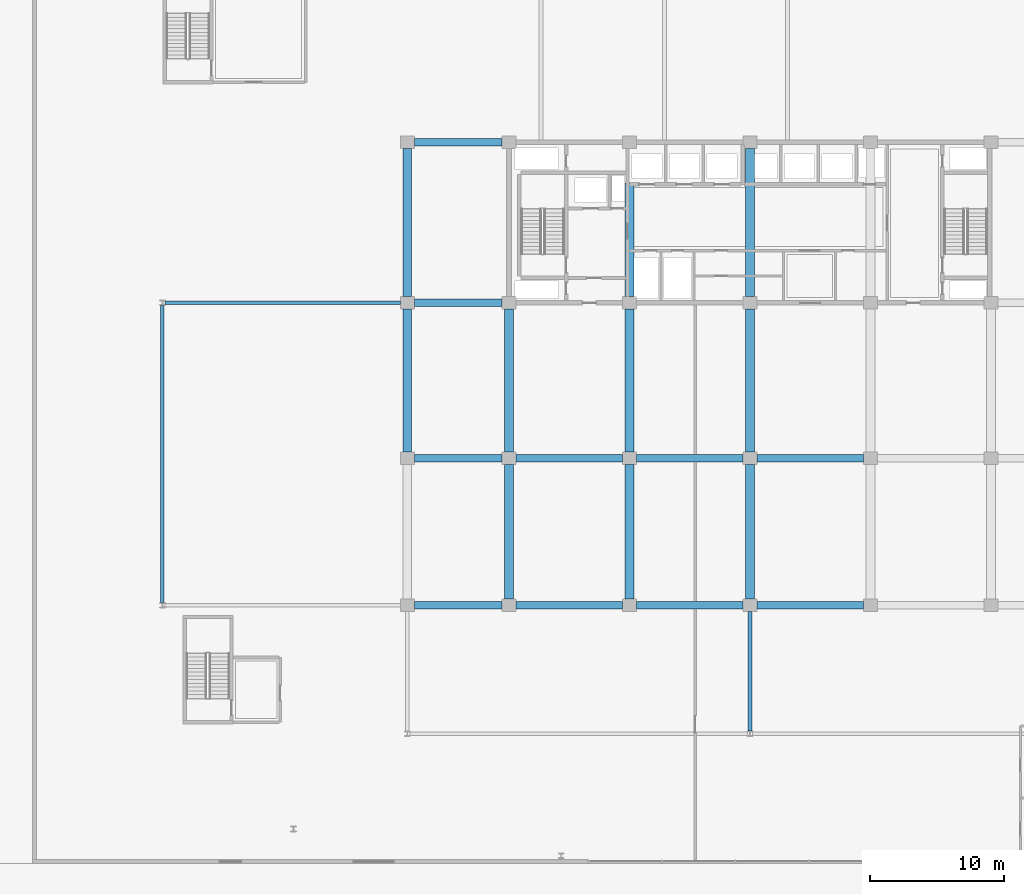
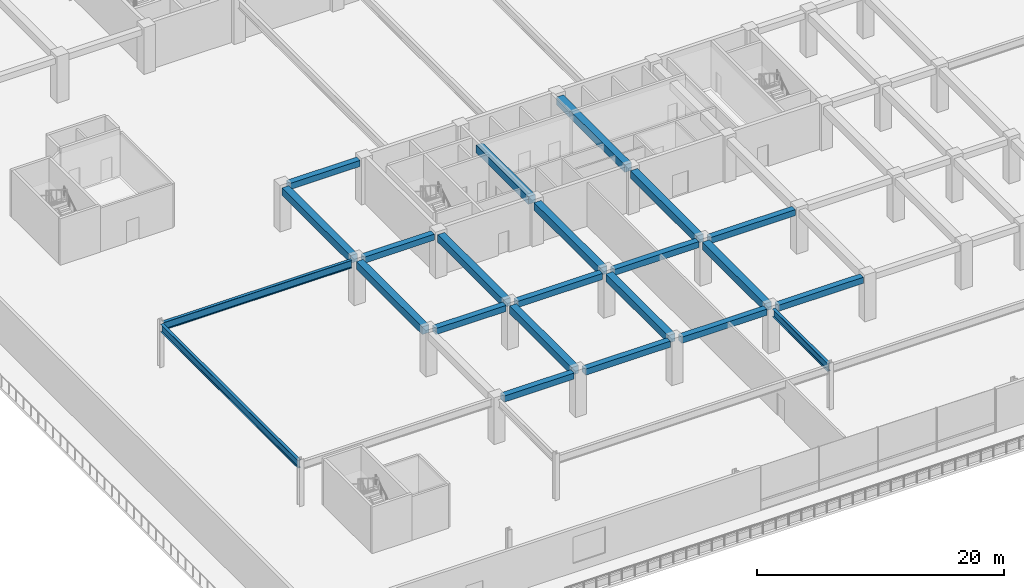
# One storey, part 11 of 45: 23 beams.
"""IFC4 building model written with IfcOpenShell, lengths in metres."""

from ifc_helpers import new_model, si_unit, direction, frame, origin, origin_2d, place, context, subcontext, project, spatial, rectangle, i_section, extrude, material, material_profile, profile_set, type_object, element, save


model = new_model("IFC4")

# Units and contexts
model_context = context("Model", 3, precision=1e-05, world=origin(), true_north=direction((0.0, 1.0)))
body_context = subcontext(model_context, "Body", "Model", "MODEL_VIEW")
ifc_project = project(units=[si_unit("LENGTHUNIT", "METRE"), si_unit("AREAUNIT", "SQUARE_METRE"), si_unit("VOLUMEUNIT", "CUBIC_METRE"), si_unit("PLANEANGLEUNIT", "RADIAN"), si_unit("MASSUNIT", "GRAM", prefix="KILO")], contexts=[model_context])

# Site, building, storey
site_placement = place(None, origin())
site = spatial("IfcSite", under=ifc_project, at=site_placement, CompositionType="ELEMENT")
building_placement = place(site_placement, origin())
building = spatial("IfcBuilding", under=site, at=building_placement, Name="Korimba Cascade Residences", CompositionType="ELEMENT")
storey_placement = place(building_placement, frame((0.0, 0.0, 5.39990234375)))
storey = spatial("IfcBuildingStorey", under=building, at=storey_placement, Name="L01", CompositionType="ELEMENT", Elevation=5.39990234375)

# Beams
ifc_material_1 = material(Name="Concrete C50/60", Category="concrete")
ifc_material_profile_1 = material_profile(ifc_material_1, rectangle(XDim=0.550048828125, YDim=0.60009765625, at=origin_2d()), Name="Concrete C50/60")
ifc_profile_set_1 = profile_set([ifc_material_profile_1], Name="Concrete C50/60")
beam_type_1 = type_object("IfcBeamType", Name="BM-RC-B600", PredefinedType="BEAM", material=ifc_profile_set_1)
beam_1_placement = place(storey_placement, frame((75.02490234375, -4.199951171875, 4.0), z_axis=(1.0, 0.0, 0.0), x_axis=(0.0, 1.0, 0.0)))
element("IfcBeam", 1, at=beam_1_placement, inside=storey, type_object=beam_type_1, Name="L01 T2 E-W Girder Y1 Bay 1", PredefinedType="BEAM", context=body_context, shape_type="SweptSolid", body=[
    extrude(rectangle(XDim=0.550048828125, YDim=0.60009765625, at=origin_2d()), origin(), (0.0, 0.0, 1.0), 6.550048828125),
])
for number, where, z_axis, x_axis, name in (
    (2, (82.625, -4.199951171875, 4.0), (1.0, 0.0, 0.0), (0.0, 1.0, 0.0), "L01 T2 E-W Girder Y1 Bay 2"),
    (3, (91.625, -4.199951171875, 4.0), (1.0, 0.0, 0.0), (0.0, 1.0, 0.0), "L01 T2 E-W Girder Y1 Bay 3"),
    (4, (100.625, -4.199951171875, 4.0), (1.0, 0.0, 0.0), (0.0, 1.0, 0.0), "L01 T2 E-W Girder Y1 Bay 4"),
):
    element("IfcBeam", number, at=place(storey_placement, frame(where, z_axis=z_axis, x_axis=x_axis)), inside=storey, type_object=beam_type_1, Name=name, PredefinedType="BEAM", context=body_context, shape_type="SweptSolid", body=[
        extrude(rectangle(XDim=0.550048828125, YDim=0.60009765625, at=origin_2d()), origin(), (0.0, 0.0, 1.0), 7.949951171875),
    ])
beam_2_placement = place(storey_placement, frame((75.02490234375, 6.800048828125, 4.0), z_axis=(1.0, 0.0, 0.0), x_axis=(0.0, 1.0, 0.0)))
element("IfcBeam", 5, at=beam_2_placement, inside=storey, type_object=beam_type_1, Name="L01 T2 E-W Girder Y2 Bay 1", PredefinedType="BEAM", context=body_context, shape_type="SweptSolid", body=[
    extrude(rectangle(XDim=0.550048828125, YDim=0.60009765625, at=origin_2d()), origin(), (0.0, 0.0, 1.0), 6.550048828125),
])
for number, where, z_axis, x_axis, name in (
    (6, (82.625, 6.800048828125, 4.0), (1.0, 0.0, 0.0), (0.0, 1.0, 0.0), "L01 T2 E-W Girder Y2 Bay 2"),
    (7, (91.625, 6.800048828125, 4.0), (1.0, 0.0, 0.0), (0.0, 1.0, 0.0), "L01 T2 E-W Girder Y2 Bay 3"),
    (8, (100.625, 6.800048828125, 4.0), (1.0, 0.0, 0.0), (0.0, 1.0, 0.0), "L01 T2 E-W Girder Y2 Bay 4"),
):
    element("IfcBeam", number, at=place(storey_placement, frame(where, z_axis=z_axis, x_axis=x_axis)), inside=storey, type_object=beam_type_1, Name=name, PredefinedType="BEAM", context=body_context, shape_type="SweptSolid", body=[
        extrude(rectangle(XDim=0.550048828125, YDim=0.60009765625, at=origin_2d()), origin(), (0.0, 0.0, 1.0), 7.949951171875),
    ])
for number, where, z_axis, x_axis, name in (
    (9, (75.02490234375, 18.39990234375, 4.0), (1.0, 0.0, 0.0), (0.0, 1.0, 0.0), "L01 T2 E-W Girder Y3 Bay 1"),
    (10, (75.02490234375, 30.39990234375, 4.0), (1.0, 0.0, 0.0), (0.0, 1.0, 0.0), "L01 T2 E-W Girder Y4 Bay 1"),
):
    element("IfcBeam", number, at=place(storey_placement, frame(where, z_axis=z_axis, x_axis=x_axis)), inside=storey, type_object=beam_type_1, Name=name, PredefinedType="BEAM", context=body_context, shape_type="SweptSolid", body=[
        extrude(rectangle(XDim=0.550048828125, YDim=0.60009765625, at=origin_2d()), origin(), (0.0, 0.0, 1.0), 6.550048828125),
    ])
ifc_material_profile_2 = material_profile(ifc_material_1, rectangle(XDim=0.64990234375, YDim=0.75, at=origin_2d()), Name="Concrete C50/60")
ifc_profile_set_2 = profile_set([ifc_material_profile_2], Name="Concrete C50/60")
beam_type_2 = type_object("IfcBeamType", Name="BM-RC-G750", PredefinedType="BEAM", material=ifc_profile_set_2)
beam_3_placement = place(storey_placement, frame((74.5, 7.27490234375, 3.925048828125), z_axis=(0.0, 1.0, 0.0), x_axis=(-1.0, 0.0, 0.0)))
element("IfcBeam", 11, at=beam_3_placement, inside=storey, type_object=beam_type_2, Name="L01 T2 N-S Girder X1 Seg 2", PredefinedType="BEAM", context=body_context, shape_type="SweptSolid", body=[
    extrude(rectangle(XDim=0.64990234375, YDim=0.75, at=origin_2d()), origin(), (0.0, 0.0, 1.0), 10.650146484375),
])
beam_4_placement = place(storey_placement, frame((74.5, 18.875, 3.925048828125), z_axis=(0.0, 1.0, 0.0), x_axis=(-1.0, 0.0, 0.0)))
element("IfcBeam", 12, at=beam_4_placement, inside=storey, type_object=beam_type_2, Name="L01 T2 N-S Girder X1 Seg 3", PredefinedType="BEAM", context=body_context, shape_type="SweptSolid", body=[
    extrude(rectangle(XDim=0.64990234375, YDim=0.75, at=origin_2d()), origin(), (0.0, 0.0, 1.0), 11.050048828125),
])
beam_5_placement = place(storey_placement, frame((82.10009765625, -3.72509765625, 3.925048828125), z_axis=(0.0, 1.0, 0.0), x_axis=(-1.0, 0.0, 0.0)))
element("IfcBeam", 13, at=beam_5_placement, inside=storey, type_object=beam_type_2, Name="L01 T2 N-S Girder X2 Seg 1", PredefinedType="BEAM", context=body_context, shape_type="SweptSolid", body=[
    extrude(rectangle(XDim=0.64990234375, YDim=0.75, at=origin_2d()), origin(), (0.0, 0.0, 1.0), 10.050048828125),
])
beam_6_placement = place(storey_placement, frame((82.10009765625, 7.27490234375, 3.925048828125), z_axis=(0.0, 1.0, 0.0), x_axis=(-1.0, 0.0, 0.0)))
element("IfcBeam", 14, at=beam_6_placement, inside=storey, type_object=beam_type_2, Name="L01 T2 N-S Girder X2 Seg 2", PredefinedType="BEAM", context=body_context, shape_type="SweptSolid", body=[
    extrude(rectangle(XDim=0.64990234375, YDim=0.75, at=origin_2d()), origin(), (0.0, 0.0, 1.0), 10.650146484375),
])
beam_7_placement = place(storey_placement, frame((91.10009765625, -3.72509765625, 3.925048828125), z_axis=(0.0, 1.0, 0.0), x_axis=(-1.0, 0.0, 0.0)))
element("IfcBeam", 15, at=beam_7_placement, inside=storey, type_object=beam_type_2, Name="L01 T2 N-S Girder X3 Seg 1", PredefinedType="BEAM", context=body_context, shape_type="SweptSolid", body=[
    extrude(rectangle(XDim=0.64990234375, YDim=0.75, at=origin_2d()), origin(), (0.0, 0.0, 1.0), 10.050048828125),
])
beam_8_placement = place(storey_placement, frame((91.10009765625, 7.27490234375, 3.925048828125), z_axis=(0.0, 1.0, 0.0), x_axis=(-1.0, 0.0, 0.0)))
element("IfcBeam", 16, at=beam_8_placement, inside=storey, type_object=beam_type_2, Name="L01 T2 N-S Girder X3 Seg 2", PredefinedType="BEAM", context=body_context, shape_type="SweptSolid", body=[
    extrude(rectangle(XDim=0.64990234375, YDim=0.75, at=origin_2d()), origin(), (0.0, 0.0, 1.0), 10.650146484375),
])
beam_9_placement = place(storey_placement, frame((91.10009765625, 18.875, 3.925048828125), z_axis=(0.0, 1.0, 0.0), x_axis=(-1.0, 0.0, 0.0)))
element("IfcBeam", 17, at=beam_9_placement, inside=storey, type_object=beam_type_2, Name="L01 T2 N-S Girder X3 Seg 3", PredefinedType="BEAM", context=body_context, shape_type="SweptSolid", body=[
    extrude(rectangle(XDim=0.64990234375, YDim=0.75, at=origin_2d()), origin(), (0.0, 0.0, 1.0), 8.465087890625),
])
beam_10_placement = place(storey_placement, frame((100.10009765625, -3.72509765625, 3.925048828125), z_axis=(0.0, 1.0, 0.0), x_axis=(-1.0, 0.0, 0.0)))
element("IfcBeam", 18, at=beam_10_placement, inside=storey, type_object=beam_type_2, Name="L01 T2 N-S Girder X4 Seg 1", PredefinedType="BEAM", context=body_context, shape_type="SweptSolid", body=[
    extrude(rectangle(XDim=0.64990234375, YDim=0.75, at=origin_2d()), origin(), (0.0, 0.0, 1.0), 10.050048828125),
])
beam_11_placement = place(storey_placement, frame((100.10009765625, 7.27490234375, 3.925048828125), z_axis=(0.0, 1.0, 0.0), x_axis=(-1.0, 0.0, 0.0)))
element("IfcBeam", 19, at=beam_11_placement, inside=storey, type_object=beam_type_2, Name="L01 T2 N-S Girder X4 Seg 2", PredefinedType="BEAM", context=body_context, shape_type="SweptSolid", body=[
    extrude(rectangle(XDim=0.64990234375, YDim=0.75, at=origin_2d()), origin(), (0.0, 0.0, 1.0), 10.650146484375),
])
beam_12_placement = place(storey_placement, frame((100.10009765625, 18.875, 3.925048828125), z_axis=(0.0, 1.0, 0.0), x_axis=(-1.0, 0.0, 0.0)))
element("IfcBeam", 20, at=beam_12_placement, inside=storey, type_object=beam_type_2, Name="L01 T2 N-S Girder X4 Seg 3", PredefinedType="BEAM", context=body_context, shape_type="SweptSolid", body=[
    extrude(rectangle(XDim=0.64990234375, YDim=0.75, at=origin_2d()), origin(), (0.0, 0.0, 1.0), 11.050048828125),
])
ifc_material_2 = material(Name="Steel S355", Category="steel")
ifc_material_profile_3 = material_profile(ifc_material_2, i_section(OverallWidth=0.26806640625, OverallDepth=0.769775390625, WebThickness=0.015625, FlangeThickness=0.025390625, FilletRadius=0.0166015625, at=origin_2d()), Name="Steel S355")
ifc_profile_set_3 = profile_set([ifc_material_profile_3], Name="Steel S355")
beam_type_3 = type_object("IfcBeamType", Name="BM-STL-UB762", PredefinedType="BEAM", material=ifc_profile_set_3)
beam_13_placement = place(storey_placement, frame((56.3994140625, 18.39990234375, 3.915283203125), z_axis=(1.0, 0.0, 0.0), x_axis=(0.0, 1.0, 0.0)))
element("IfcBeam", 21, at=beam_13_placement, inside=storey, type_object=beam_type_3, Name="L01 Podium Frame Girder W2", PredefinedType="BEAM", context=body_context, shape_type="SweptSolid", body=[
    extrude(i_section(OverallWidth=0.26806640625, OverallDepth=0.769775390625, WebThickness=0.015625, FlangeThickness=0.025390625, FilletRadius=0.0166015625, at=origin_2d()), origin(), (0.0, 0.0, 1.0), 17.57568359375),
])
beam_14_placement = place(storey_placement, frame((56.199951171875, -4.003173828125, 3.915283203125), z_axis=(0.0, 1.0, 0.0), x_axis=(-1.0, 0.0, 0.0)))
element("IfcBeam", 22, at=beam_14_placement, inside=storey, type_object=beam_type_3, Name="L01 Podium Frame Girder WN", PredefinedType="BEAM", context=body_context, shape_type="SweptSolid", body=[
    extrude(i_section(OverallWidth=0.26806640625, OverallDepth=0.769775390625, WebThickness=0.015625, FlangeThickness=0.025390625, FilletRadius=0.0166015625, at=origin_2d()), origin(), (0.0, 0.0, 1.0), 22.206298828125),
])
beam_15_placement = place(storey_placement, frame((100.10009765625, -13.603271484375, 3.915283203125), z_axis=(0.0, 1.0, 0.0), x_axis=(-1.0, 0.0, 0.0)))
element("IfcBeam", 23, at=beam_15_placement, inside=storey, type_object=beam_type_3, Name="L01 Podium Frame Girder S2", PredefinedType="BEAM", context=body_context, shape_type="SweptSolid", body=[
    extrude(i_section(OverallWidth=0.26806640625, OverallDepth=0.769775390625, WebThickness=0.015625, FlangeThickness=0.025390625, FilletRadius=0.0166015625, at=origin_2d()), origin(), (0.0, 0.0, 1.0), 8.92822265625),
])

save(model, "model.ifc")
